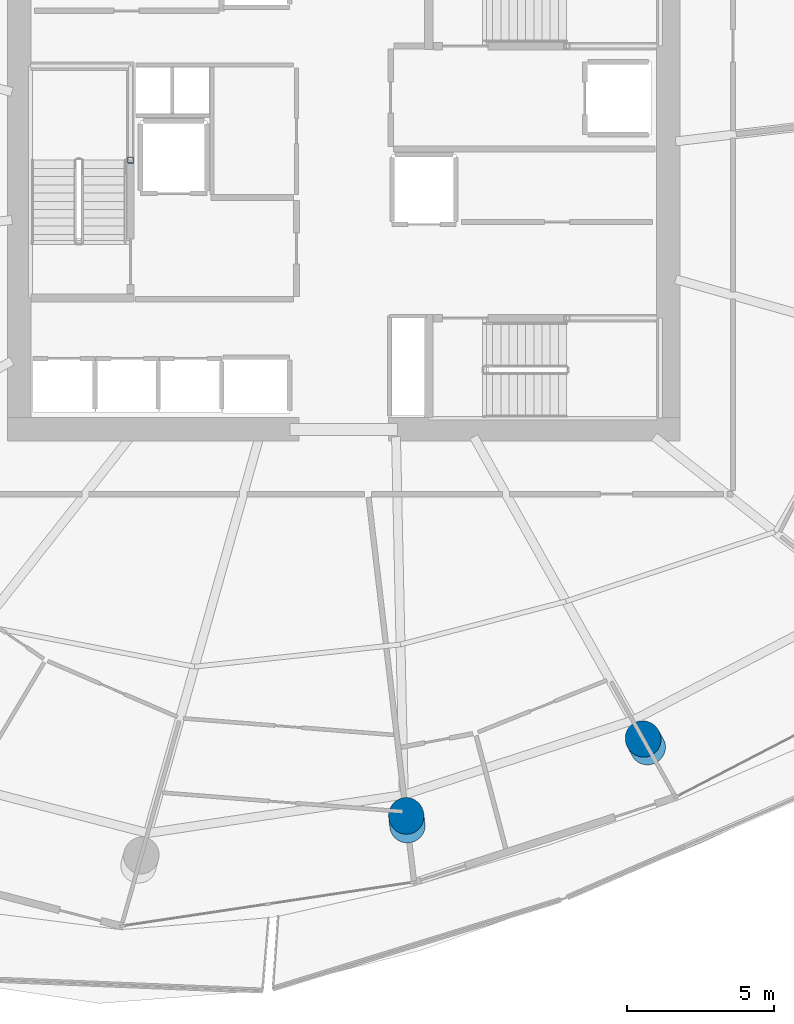
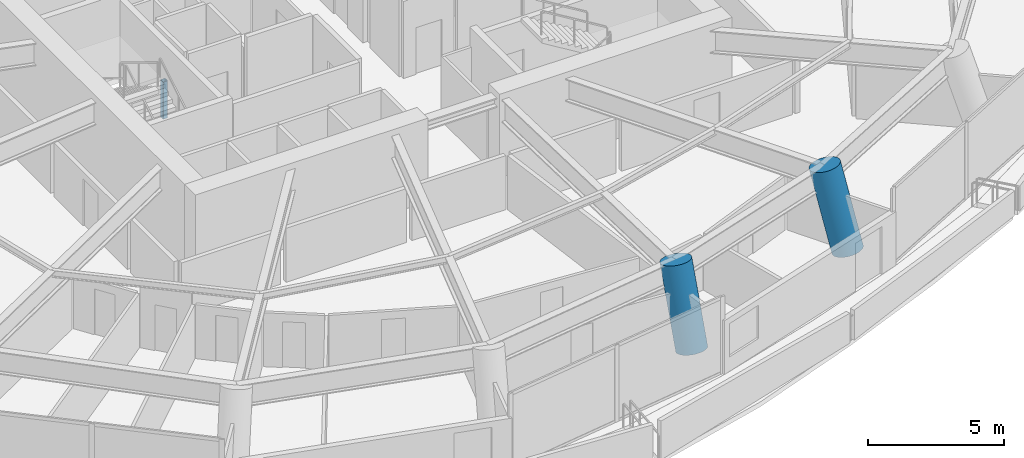
# One storey, part 2 of 23: 3 columns.
"""IFC4 building model written with IfcOpenShell, lengths in metres."""

from ifc_helpers import new_model, si_unit, direction, frame, origin, origin_2d, place, context, subcontext, project, spatial, hollow_rectangle, circle, extrude, material, material_profile, profile_set, type_object, element, save


model = new_model("IFC4")

# Units and contexts
model_context = context("Model", 3, precision=1e-05, world=origin(), true_north=direction((0.0, 1.0)))
body_context = subcontext(model_context, "Body", "Model", "MODEL_VIEW")
ifc_project = project(units=[si_unit("LENGTHUNIT", "METRE"), si_unit("AREAUNIT", "SQUARE_METRE"), si_unit("VOLUMEUNIT", "CUBIC_METRE"), si_unit("PLANEANGLEUNIT", "RADIAN"), si_unit("MASSUNIT", "GRAM", prefix="KILO")], contexts=[model_context])

# Site, building, storey
site_placement = place(None, origin())
site = spatial("IfcSite", under=ifc_project, at=site_placement, CompositionType="ELEMENT")
building_placement = place(site_placement, origin())
building = spatial("IfcBuilding", under=site, at=building_placement, Name="Kazma Halo Residences", CompositionType="ELEMENT")
storey_placement = place(building_placement, frame((0.0, 0.0, 112.64990234375)))
storey = spatial("IfcBuildingStorey", under=building, at=storey_placement, Name="L28", CompositionType="ELEMENT", Elevation=112.64990234375)

# Columns
ifc_material_1 = material(Name="Steel S355", Category="steel")
ifc_material_profile_1 = material_profile(ifc_material_1, hollow_rectangle(XDim=0.199951171875, YDim=0.199951171875, WallThickness=0.010009765625, InnerFilletRadius=0.010009765625, OuterFilletRadius=0.02001953125, at=origin_2d()), Name="SHS200x200x10")
ifc_profile_set_1 = profile_set([ifc_material_profile_1], Name="Steel S355")
column_type_1 = type_object("IfcColumnType", Name="COL-LP-SHS200", PredefinedType="COLUMN", material=ifc_profile_set_1)
column_placement = place(storey_placement, frame((41.179931640625, 42.75, 0.0), z_axis=(0.0, 0.0, 1.0), x_axis=(1.0, 0.0, 0.0)))
element("IfcColumn", 1, at=column_placement, inside=storey, type_object=column_type_1, Name="L28 ST-01 landing pilaster 1", PredefinedType="COLUMN", context=body_context, shape_type="SweptSolid", body=[
    extrude(hollow_rectangle(XDim=0.199951171875, YDim=0.199951171875, WallThickness=0.010009765625, InnerFilletRadius=0.010009765625, OuterFilletRadius=0.02001953125, at=origin_2d()), origin(), (0.0, 0.0, 1.0), 1.670166015625),
])
ifc_material_2 = material(Name="Concrete C80/95", Category="concrete")
ifc_material_profile_2 = material_profile(ifc_material_2, circle(Radius=0.60009765625, at=origin_2d()), Name="CIRC1200")
ifc_profile_set_2 = profile_set([ifc_material_profile_2], Name="Concrete C80/95")
column_type_2 = type_object("IfcColumnType", Name="COL-PERIM-1200", PredefinedType="COLUMN", material=ifc_profile_set_2)
for number, where, z_axis, x_axis, name in (
    (2, (50.58837890625, 20.130859375, 0.0), (-0.031955218723, 0.270062219249, 0.962312455355), (-0.99307221262, -0.117505661659, 0.0), "L28 perimeter ring column P12"),
    (3, (58.76025390625, 22.7861328125, 0.0), (-0.132897442347, 0.237292682336, 0.962304760836), (-0.872484791249, -0.488641268252, 0.0), "L28 perimeter ring column P13"),
):
    element("IfcColumn", number, at=place(storey_placement, frame(where, z_axis=z_axis, x_axis=x_axis)), inside=storey, type_object=column_type_2, Name=name, PredefinedType="COLUMN", context=body_context, shape_type="SweptSolid", body=[
        extrude(circle(Radius=0.60009765625, at=origin_2d()), origin(), (0.0, 0.0, 1.0), 3.606201171875),
    ])

save(model, "model.ifc")
